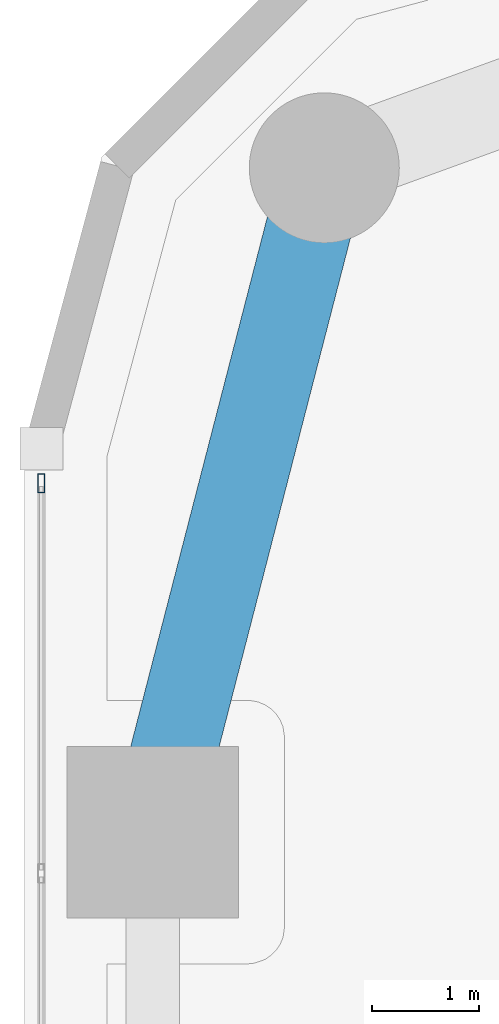
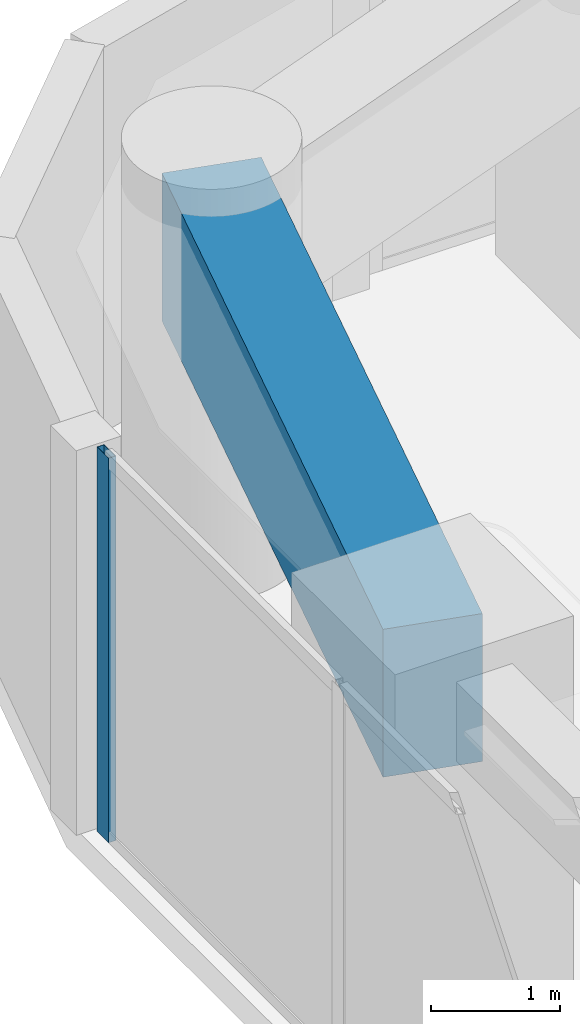
# One storey, part 11 of 24: 1 beam, 1 member, 1 element without a shape of its own.
"""IFC4 building model written with IfcOpenShell, lengths in metres."""

from ifc_helpers import new_model, si_unit, direction, frame, origin, origin_2d, place, context, subcontext, project, spatial, rectangle, hollow_rectangle, extrude, material, layer, layer_set, material_profile, profile_set, type_object, element, aggregate, save


model = new_model("IFC4")

# Units and contexts
model_context = context("Model", 3, precision=1e-05, world=origin(), true_north=direction((0.0, 1.0)))
body_context = subcontext(model_context, "Body", "Model", "MODEL_VIEW")
ifc_project = project(units=[si_unit("LENGTHUNIT", "METRE"), si_unit("AREAUNIT", "SQUARE_METRE"), si_unit("VOLUMEUNIT", "CUBIC_METRE"), si_unit("PLANEANGLEUNIT", "RADIAN"), si_unit("MASSUNIT", "GRAM", prefix="KILO")], contexts=[model_context])

# Site, building, storey
site_placement = place(None, origin())
site = spatial("IfcSite", under=ifc_project, at=site_placement, CompositionType="ELEMENT")
building_placement = place(site_placement, origin())
building = spatial("IfcBuilding", under=site, at=building_placement, Name="Kiyonajd Concourse Tower", CompositionType="ELEMENT")
storey_placement = place(building_placement, frame((0.0, 0.0, 85.800048828125)))
storey = spatial("IfcBuildingStorey", under=building, at=storey_placement, Name="L22", CompositionType="ELEMENT", Elevation=85.800048828125)

# Beam
ifc_material_1 = material(Name="Concrete C60/75", Category="concrete")
ifc_material_profile_1 = material_profile(ifc_material_1, rectangle(XDim=0.800048828125, YDim=1.39990234375, at=origin_2d()), Name="RCBM-800x1400")
ifc_profile_set_1 = profile_set([ifc_material_profile_1], Name="Concrete C60/75")
beam_type = type_object("IfcBeamType", Name="BM-XFER-RC", PredefinedType="BEAM", material=ifc_profile_set_1)
beam_placement = place(storey_placement, frame((20.800048828125, 59.60009765625, 2.93994140625), z_axis=(-0.249884937687, -0.968275538221, 0.0), x_axis=(0.968275538221, -0.249884937687, 0.0)))
element("IfcBeam", 1, at=beam_placement, inside=storey, type_object=beam_type, Name="L22 Perimeter Bundled Tube Spandrel", PredefinedType="BEAM", context=body_context, shape_type="SweptSolid", body=[
    extrude(rectangle(XDim=0.800048828125, YDim=1.39990234375, at=origin_2d()), origin(), (0.0, 0.0, 1.0), 6.4033203125),
])

# Curtain wall, member
ifc_material_2 = material(Name="Thermally Broken Anodised Aluminium", Category="aluminium")
ifc_layer = layer(ifc_material_2, 0.179931640625)
ifc_layer_set = layer_set([ifc_layer], Name="Thermally Broken Anodised Aluminium")
curtain_wall_type = type_object("IfcCurtainWallType", Name="CW-SYS-03", PredefinedType="NOTDEFINED", material=ifc_layer_set)
curtain_wall_placement = place(storey_placement, origin())
curtain_wall = element("IfcCurtainWall", 2, at=curtain_wall_placement, inside=storey, type_object=curtain_wall_type, Name="L22 Unitised Curtain Wall CW3", PredefinedType="NOTDEFINED")
ifc_material_profile_2 = material_profile(ifc_material_2, hollow_rectangle(XDim=0.06494140625, YDim=0.179931640625, WallThickness=0.00390625, at=origin_2d()), Name="MULL-65x180")
ifc_profile_set_2 = profile_set([ifc_material_profile_2], Name="Thermally Broken Anodised Aluminium")
member_type = type_object("IfcMemberType", Name="MB-CW-MULL1", PredefinedType="MULLION", material=ifc_profile_set_2)
member_placement = place(storey_placement, frame((18.159912109375, 56.656494140625, 0.0), z_axis=(0.0, 0.0, 1.0), x_axis=(-1.0, 0.0, 0.0)))
member = element("IfcMember", 3, at=member_placement, type_object=member_type, Name="CW3 mullion 7", PredefinedType="MULLION", context=body_context, shape_type="SweptSolid", body=[
    extrude(hollow_rectangle(XDim=0.06494140625, YDim=0.179931640625, WallThickness=0.00390625, at=origin_2d()), origin(), (0.0, 0.0, 1.0), 3.639892578125),
])
aggregate(curtain_wall, [member])

save(model, "model.ifc")
